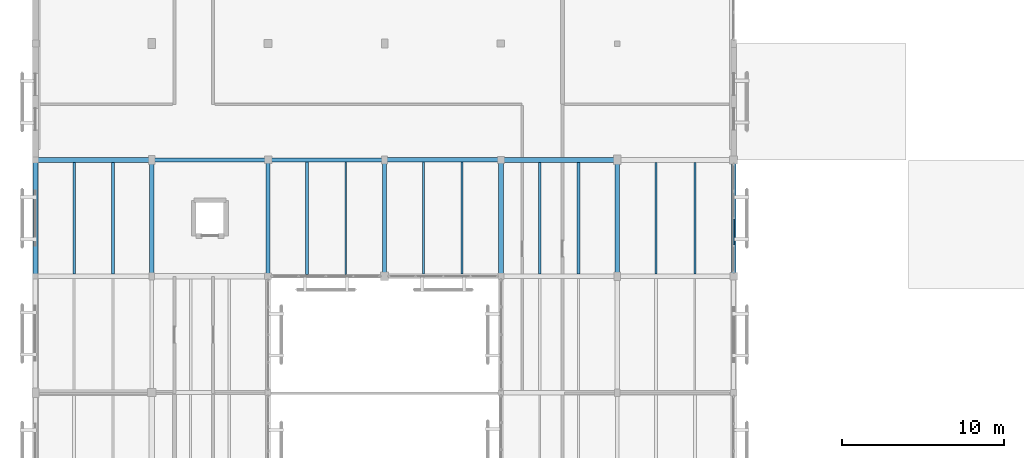
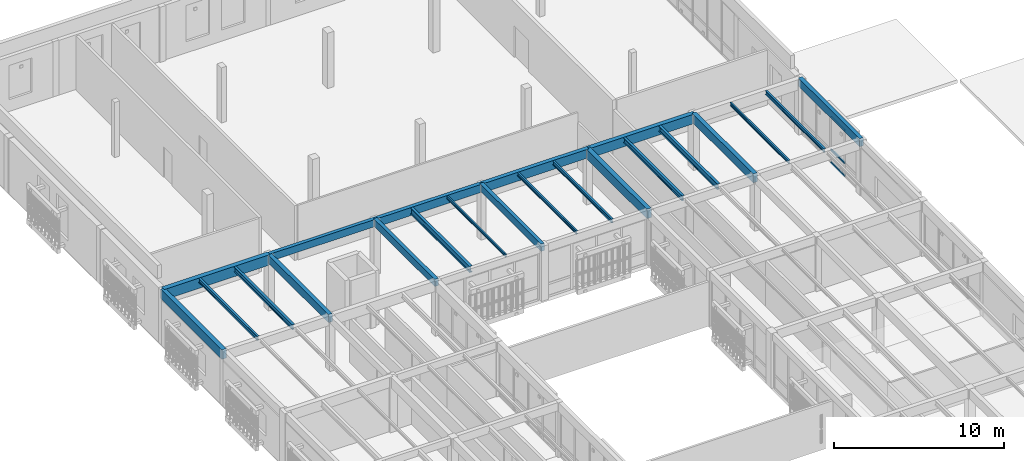
# One storey, part 47 of 112: 22 beams, 3 members, 1 element without a shape of its own.
"""IFC4 building model written with IfcOpenShell, lengths in metres."""

from ifc_helpers import new_model, si_unit, direction, frame, origin, origin_2d, place, context, subcontext, project, spatial, rectangle, hollow_rectangle, i_section, extrude, material, layer, layer_set, material_profile, profile_set, type_object, element, aggregate, save


model = new_model("IFC4")

# Units and contexts
model_context = context("Model", 3, precision=1e-05, world=origin(), true_north=direction((0.0, 1.0)))
body_context = subcontext(model_context, "Body", "Model", "MODEL_VIEW")
ifc_project = project(units=[si_unit("LENGTHUNIT", "METRE"), si_unit("AREAUNIT", "SQUARE_METRE"), si_unit("VOLUMEUNIT", "CUBIC_METRE"), si_unit("PLANEANGLEUNIT", "RADIAN"), si_unit("MASSUNIT", "GRAM", prefix="KILO")], contexts=[model_context])

# Site, building, storey
site_placement = place(None, origin())
site = spatial("IfcSite", under=ifc_project, at=site_placement, CompositionType="ELEMENT")
building_placement = place(site_placement, origin())
building = spatial("IfcBuilding", under=site, at=building_placement, Name="Mazaris Harbour Polytechnic", CompositionType="ELEMENT")
storey_placement = place(building_placement, frame((0.0, 0.0, 13.800048828125)))
storey = spatial("IfcBuildingStorey", under=building, at=storey_placement, Name="L03", CompositionType="ELEMENT", Elevation=13.800048828125)

# Curtain wall, members
ifc_material_1 = material(Name="Anodised Bronze Aluminium and Low-E Glass", Category="aluminium")
ifc_layer = layer(ifc_material_1, 0.159912109375, Name="Anodised Bronze Aluminium and Low-E Glass")
ifc_layer_set = layer_set([ifc_layer], Name="Anodised Bronze Aluminium and Low-E Glass")
curtain_wall_type = type_object("IfcCurtainWallType", Name="Cloister Court Curtain Wall", PredefinedType="NOTDEFINED", material=ifc_layer_set)
curtain_wall_placement = place(storey_placement, origin())
curtain_wall = element("IfcCurtainWall", 1, at=curtain_wall_placement, inside=storey, type_object=curtain_wall_type, Name="V4 L03 Curtain Wall 148", PredefinedType="NOTDEFINED")
ifc_material_2 = material(Name="Anodised Bronze Steel S355", Category="steel")
ifc_material_profile_1 = material_profile(ifc_material_2, hollow_rectangle(XDim=0.080078125, YDim=0.139892578125, WallThickness=0.00634765625, at=origin_2d()), Name="RHS 80x140x6.3")
ifc_profile_set_1 = profile_set([ifc_material_profile_1], Name="Anodised Bronze Steel S355")
member_type = type_object("IfcMemberType", Name="Curtain Transom RHS80x140", PredefinedType="USERDEFINED", material=ifc_profile_set_1)
member_1_placement = place(storey_placement, frame((43.199951171875, 71.949951171875, 0.0400390625), z_axis=(0.0, -1.0, 0.0), x_axis=(1.0, 0.0, 0.0)))
member_1 = element("IfcMember", 2, at=member_1_placement, type_object=member_type, Name="CW-02 transom 3.1", ObjectType="TRANSOM", PredefinedType="USERDEFINED", context=body_context, shape_type="SweptSolid", body=[
    extrude(hollow_rectangle(XDim=0.080078125, YDim=0.139892578125, WallThickness=0.00634765625, at=origin_2d()), origin(), (0.0, 0.0, 1.0), 1.60400390625),
])
member_2_placement = place(storey_placement, frame((43.199951171875, 71.949951171875, 0.949951171875), z_axis=(0.0, -1.0, 0.0), x_axis=(1.0, 0.0, 0.0)))
member_2 = element("IfcMember", 3, at=member_2_placement, type_object=member_type, Name="CW-02 transom 3.2", ObjectType="TRANSOM", PredefinedType="USERDEFINED", context=body_context, shape_type="SweptSolid", body=[
    extrude(hollow_rectangle(XDim=0.080078125, YDim=0.139892578125, WallThickness=0.00634765625, at=origin_2d()), origin(), (0.0, 0.0, 1.0), 1.60400390625),
])
member_3_placement = place(storey_placement, frame((43.199951171875, 71.949951171875, 3.2900390625), z_axis=(0.0, -1.0, 0.0), x_axis=(1.0, 0.0, 0.0)))
member_3 = element("IfcMember", 4, at=member_3_placement, type_object=member_type, Name="CW-02 transom 3.3", ObjectType="TRANSOM", PredefinedType="USERDEFINED", context=body_context, shape_type="SweptSolid", body=[
    extrude(hollow_rectangle(XDim=0.080078125, YDim=0.139892578125, WallThickness=0.00634765625, at=origin_2d()), origin(), (0.0, 0.0, 1.0), 1.60400390625),
])
aggregate(curtain_wall, [member_1, member_2, member_3])

# Beams
ifc_material_3 = material(Name="Glulam GL32h", Category="wood")
ifc_material_profile_2 = material_profile(ifc_material_3, rectangle(XDim=0.239990234375, YDim=0.52001953125, at=origin_2d()), Name="RECT240x520")
ifc_profile_set_2 = profile_set([ifc_material_profile_2], Name="Glulam GL32h")
beam_type_1 = type_object("IfcBeamType", Name="Glulam Girder 240x520", PredefinedType="BEAM", material=ifc_profile_set_2)
for number, where, z_axis, x_axis, name in (
    (5, (14.39990234375, 68.39990234375, 3.659912109375), (0.0, 1.0, 0.0), (-1.0, 0.0, 0.0), "V4 L03 Tie Girder 2245"),
    (6, (21.60009765625, 68.39990234375, 3.659912109375), (0.0, 1.0, 0.0), (-1.0, 0.0, 0.0), "V4 L03 Tie Girder 2250"),
):
    element("IfcBeam", number, at=place(storey_placement, frame(where, z_axis=z_axis, x_axis=x_axis)), inside=storey, type_object=beam_type_1, Name=name, PredefinedType="BEAM", context=body_context, shape_type="SweptSolid", body=[
        extrude(rectangle(XDim=0.239990234375, YDim=0.52001953125, at=origin_2d()), origin(), (0.0, 0.0, 1.0), 7.2001953125),
    ])
ifc_material_4 = material(Name="Glulam GL32h", Category="wood")
ifc_material_profile_3 = material_profile(ifc_material_4, rectangle(XDim=0.239990234375, YDim=0.52001953125, at=origin_2d()), Name="RECT240x520")
ifc_profile_set_3 = profile_set([ifc_material_profile_3], Name="Glulam GL32h")
beam_type_2 = type_object("IfcBeamType", Name="Glulam Girder 240x520 Exterior", PredefinedType="BEAM", material=ifc_profile_set_3)
beam_1_placement = place(storey_placement, frame((7.199951171875, 75.60009765625, 3.659912109375), z_axis=(1.0, 0.0, 0.0), x_axis=(0.0, 1.0, 0.0)))
element("IfcBeam", 7, at=beam_1_placement, inside=storey, type_object=beam_type_2, Name="V4 L03 Girder 2215", PredefinedType="BEAM", context=body_context, shape_type="SweptSolid", body=[
    extrude(rectangle(XDim=0.239990234375, YDim=0.52001953125, at=origin_2d()), origin(), (0.0, 0.0, 1.0), 7.199951171875),
])
ifc_material_5 = material(Name="Glulam GL32h", Category="wood")
ifc_material_profile_4 = material_profile(ifc_material_5, rectangle(XDim=0.260009765625, YDim=0.580078125, at=origin_2d()), Name="RECT260x580")
ifc_profile_set_4 = profile_set([ifc_material_profile_4], Name="Glulam GL32h")
beam_type_3 = type_object("IfcBeamType", Name="Glulam Girder 260x580", PredefinedType="BEAM", material=ifc_profile_set_4)
beam_2_placement = place(storey_placement, frame((7.199951171875, 68.39990234375, 3.6298828125), z_axis=(0.0, 1.0, 0.0), x_axis=(-1.0, 0.0, 0.0)))
element("IfcBeam", 8, at=beam_2_placement, inside=storey, type_object=beam_type_3, Name="V4 L03 Tie Girder 2236", PredefinedType="BEAM", context=body_context, shape_type="SweptSolid", body=[
    extrude(rectangle(XDim=0.260009765625, YDim=0.580078125, at=origin_2d()), origin(), (0.0, 0.0, 1.0), 7.2001953125),
])
ifc_material_6 = material(Name="Glulam GL32h", Category="wood")
ifc_material_profile_5 = material_profile(ifc_material_6, rectangle(XDim=0.260009765625, YDim=0.580078125, at=origin_2d()), Name="RECT260x580")
ifc_profile_set_5 = profile_set([ifc_material_profile_5], Name="Glulam GL32h")
beam_type_4 = type_object("IfcBeamType", Name="Glulam Girder 260x580 Exterior", PredefinedType="BEAM", material=ifc_profile_set_5)
for number, where, z_axis, x_axis, name in (
    (9, (14.39990234375, 75.60009765625, 3.6298828125), (1.0, 0.0, 0.0), (0.0, 1.0, 0.0), "V4 L03 Girder 2216"),
    (10, (43.199951171875, 68.39990234375, 3.6298828125), (0.0, 1.0, 0.0), (-1.0, 0.0, 0.0), "V4 L03 Tie Girder 2276"),
):
    element("IfcBeam", number, at=place(storey_placement, frame(where, z_axis=z_axis, x_axis=x_axis)), inside=storey, type_object=beam_type_4, Name=name, PredefinedType="BEAM", context=body_context, shape_type="SweptSolid", body=[
        extrude(rectangle(XDim=0.260009765625, YDim=0.580078125, at=origin_2d()), origin(), (0.0, 0.0, 1.0), 7.2001953125),
    ])
ifc_material_7 = material(Name="Glulam GL32h", Category="wood")
ifc_material_profile_6 = material_profile(ifc_material_7, rectangle(XDim=0.280029296875, YDim=0.639892578125, at=origin_2d()), Name="RECT280x640")
ifc_profile_set_6 = profile_set([ifc_material_profile_6], Name="Glulam GL32h")
beam_type_5 = type_object("IfcBeamType", Name="Glulam Girder 280x640", PredefinedType="BEAM", material=ifc_profile_set_6)
beam_3_placement = place(storey_placement, frame((36.0, 68.39990234375, 3.599853515625), z_axis=(0.0, 1.0, 0.0), x_axis=(-1.0, 0.0, 0.0)))
element("IfcBeam", 11, at=beam_3_placement, inside=storey, type_object=beam_type_5, Name="V4 L03 Tie Girder 2267", PredefinedType="BEAM", context=body_context, shape_type="SweptSolid", body=[
    extrude(rectangle(XDim=0.280029296875, YDim=0.639892578125, at=origin_2d()), origin(), (0.0, 0.0, 1.0), 7.2001953125),
])
ifc_material_8 = material(Name="Glulam GL32h", Category="wood")
ifc_material_profile_7 = material_profile(ifc_material_8, rectangle(XDim=0.280029296875, YDim=0.639892578125, at=origin_2d()), Name="RECT280x640")
ifc_profile_set_7 = profile_set([ifc_material_profile_7], Name="Glulam GL32h")
beam_type_6 = type_object("IfcBeamType", Name="Glulam Girder 280x640 Exterior", PredefinedType="BEAM", material=ifc_profile_set_7)
beam_4_placement = place(storey_placement, frame((21.60009765625, 75.60009765625, 3.599853515625), z_axis=(1.0, 0.0, 0.0), x_axis=(0.0, 1.0, 0.0)))
element("IfcBeam", 12, at=beam_4_placement, inside=storey, type_object=beam_type_6, Name="V4 L03 Girder 2217", PredefinedType="BEAM", context=body_context, shape_type="SweptSolid", body=[
    extrude(rectangle(XDim=0.280029296875, YDim=0.639892578125, at=origin_2d()), origin(), (0.0, 0.0, 1.0), 7.199951171875),
])
ifc_material_9 = material(Name="Glulam GL32h", Category="wood")
ifc_material_profile_8 = material_profile(ifc_material_9, rectangle(XDim=0.300048828125, YDim=0.679931640625, at=origin_2d()), Name="RECT300x680")
ifc_profile_set_8 = profile_set([ifc_material_profile_8], Name="Glulam GL32h")
beam_type_7 = type_object("IfcBeamType", Name="Glulam Girder 300x680", PredefinedType="BEAM", material=ifc_profile_set_8)
beam_5_placement = place(storey_placement, frame((28.800048828125, 68.39990234375, 3.579833984375), z_axis=(0.0, 1.0, 0.0), x_axis=(-1.0, 0.0, 0.0)))
element("IfcBeam", 13, at=beam_5_placement, inside=storey, type_object=beam_type_7, Name="V4 L03 Tie Girder 2258", PredefinedType="BEAM", context=body_context, shape_type="SweptSolid", body=[
    extrude(rectangle(XDim=0.300048828125, YDim=0.679931640625, at=origin_2d()), origin(), (0.0, 0.0, 1.0), 7.2001953125),
])
ifc_material_10 = material(Name="Glulam GL32h", Category="wood")
ifc_material_profile_9 = material_profile(ifc_material_10, rectangle(XDim=0.300048828125, YDim=0.679931640625, at=origin_2d()), Name="RECT300x680")
ifc_profile_set_9 = profile_set([ifc_material_profile_9], Name="Glulam GL32h")
beam_type_8 = type_object("IfcBeamType", Name="Glulam Girder 300x680 Exterior", PredefinedType="BEAM", material=ifc_profile_set_9)
beam_6_placement = place(storey_placement, frame((28.800048828125, 75.60009765625, 3.579833984375), z_axis=(1.0, 0.0, 0.0), x_axis=(0.0, 1.0, 0.0)))
element("IfcBeam", 14, at=beam_6_placement, inside=storey, type_object=beam_type_8, Name="V4 L03 Girder 2218", PredefinedType="BEAM", context=body_context, shape_type="SweptSolid", body=[
    extrude(rectangle(XDim=0.300048828125, YDim=0.679931640625, at=origin_2d()), origin(), (0.0, 0.0, 1.0), 7.199951171875),
])
beam_7_placement = place(storey_placement, frame((0.0, 68.39990234375, 3.579833984375), z_axis=(0.0, 1.0, 0.0), x_axis=(-1.0, 0.0, 0.0)))
element("IfcBeam", 15, at=beam_7_placement, inside=storey, type_object=beam_type_8, Name="V4 L03 Tie Girder 2228", PredefinedType="BEAM", context=body_context, shape_type="SweptSolid", body=[
    extrude(rectangle(XDim=0.300048828125, YDim=0.679931640625, at=origin_2d()), origin(), (0.0, 0.0, 1.0), 7.2001953125),
])
ifc_material_11 = material(Name="Glulam GL32h", Category="wood")
ifc_material_profile_10 = material_profile(ifc_material_11, rectangle(XDim=0.320068359375, YDim=0.739990234375, at=origin_2d()), Name="RECT320x740")
ifc_profile_set_10 = profile_set([ifc_material_profile_10], Name="Glulam GL32h")
beam_type_9 = type_object("IfcBeamType", Name="Glulam Girder 320x740 Exterior", PredefinedType="BEAM", material=ifc_profile_set_10)
beam_8_placement = place(storey_placement, frame((0.0, 75.60009765625, 3.550048828125), z_axis=(1.0, 0.0, 0.0), x_axis=(0.0, 1.0, 0.0)))
element("IfcBeam", 16, at=beam_8_placement, inside=storey, type_object=beam_type_9, Name="V4 L03 Girder 2214", PredefinedType="BEAM", context=body_context, shape_type="SweptSolid", body=[
    extrude(rectangle(XDim=0.320068359375, YDim=0.739990234375, at=origin_2d()), origin(), (0.0, 0.0, 1.0), 7.199951171875),
])
ifc_material_12 = material(Name="Steel S355", Category="steel")
ifc_material_profile_11 = material_profile(ifc_material_12, i_section(OverallWidth=0.10009765625, OverallDepth=0.199951171875, WebThickness=0.005615234375, FlangeThickness=0.008544921875, FilletRadius=0.011962890625, at=origin_2d()), Name="IPE 200")
ifc_profile_set_11 = profile_set([ifc_material_profile_11], Name="Steel S355")
beam_type_10 = type_object("IfcBeamType", Name="Steel Joist IPE200", PredefinedType="JOIST", material=ifc_profile_set_11)
beam_9_placement = place(storey_placement, frame((19.199951171875, 68.52001953125, 3.820068359375), z_axis=(0.0, 1.0, 0.0), x_axis=(-1.0, 0.0, 0.0)))
element("IfcBeam", 17, at=beam_9_placement, inside=storey, type_object=beam_type_10, Name="V4 L03 Floor Joist 2317", PredefinedType="JOIST", context=body_context, shape_type="SweptSolid", body=[
    extrude(i_section(OverallWidth=0.10009765625, OverallDepth=0.199951171875, WebThickness=0.005615234375, FlangeThickness=0.008544921875, FilletRadius=0.011962890625, at=origin_2d()), origin(), (0.0, 0.0, 1.0), 6.949951171875),
])
ifc_material_13 = material(Name="Steel S355", Category="steel")
ifc_material_profile_12 = material_profile(ifc_material_13, i_section(OverallWidth=0.1201171875, OverallDepth=0.239990234375, WebThickness=0.006103515625, FlangeThickness=0.009765625, FilletRadius=0.014892578125, at=origin_2d()), Name="IPE 240")
ifc_profile_set_12 = profile_set([ifc_material_profile_12], Name="Steel S355")
beam_type_11 = type_object("IfcBeamType", Name="Steel Joist IPE240", PredefinedType="JOIST", material=ifc_profile_set_12)
beam_10_placement = place(storey_placement, frame((24.0, 68.530029296875, 3.800048828125), z_axis=(0.0, 1.0, 0.0), x_axis=(-1.0, 0.0, 0.0)))
element("IfcBeam", 18, at=beam_10_placement, inside=storey, type_object=beam_type_11, Name="V4 L03 Floor Joist 2325", PredefinedType="JOIST", context=body_context, shape_type="SweptSolid", body=[
    extrude(i_section(OverallWidth=0.1201171875, OverallDepth=0.239990234375, WebThickness=0.006103515625, FlangeThickness=0.009765625, FilletRadius=0.014892578125, at=origin_2d()), origin(), (0.0, 0.0, 1.0), 6.929931640625),
])
beam_11_placement = place(storey_placement, frame((38.39990234375, 68.550048828125, 3.800048828125), z_axis=(0.0, 1.0, 0.0), x_axis=(-1.0, 0.0, 0.0)))
element("IfcBeam", 19, at=beam_11_placement, inside=storey, type_object=beam_type_11, Name="V4 L03 Floor Joist 2360", PredefinedType="JOIST", context=body_context, shape_type="SweptSolid", body=[
    extrude(i_section(OverallWidth=0.1201171875, OverallDepth=0.239990234375, WebThickness=0.006103515625, FlangeThickness=0.009765625, FilletRadius=0.014892578125, at=origin_2d()), origin(), (0.0, 0.0, 1.0), 6.889892578125),
])
ifc_material_14 = material(Name="Steel S355", Category="steel")
ifc_material_profile_13 = material_profile(ifc_material_14, i_section(OverallWidth=0.135009765625, OverallDepth=0.27001953125, WebThickness=0.006591796875, FlangeThickness=0.01025390625, FilletRadius=0.014892578125, at=origin_2d()), Name="IPE 270")
ifc_profile_set_13 = profile_set([ifc_material_profile_13], Name="Steel S355")
beam_type_12 = type_object("IfcBeamType", Name="Steel Joist IPE270", PredefinedType="JOIST", material=ifc_profile_set_13)
beam_12_placement = place(storey_placement, frame((26.39990234375, 68.530029296875, 3.784912109375), z_axis=(0.0, 1.0, 0.0), x_axis=(-1.0, 0.0, 0.0)))
element("IfcBeam", 20, at=beam_12_placement, inside=storey, type_object=beam_type_12, Name="V4 L03 Floor Joist 2326", PredefinedType="JOIST", context=body_context, shape_type="SweptSolid", body=[
    extrude(i_section(OverallWidth=0.135009765625, OverallDepth=0.27001953125, WebThickness=0.006591796875, FlangeThickness=0.01025390625, FilletRadius=0.014892578125, at=origin_2d()), origin(), (0.0, 0.0, 1.0), 6.929931640625),
])
beam_13_placement = place(storey_placement, frame((40.800048828125, 68.550048828125, 3.784912109375), z_axis=(0.0, 1.0, 0.0), x_axis=(-1.0, 0.0, 0.0)))
element("IfcBeam", 21, at=beam_13_placement, inside=storey, type_object=beam_type_12, Name="V4 L03 Floor Joist 2361", PredefinedType="JOIST", context=body_context, shape_type="SweptSolid", body=[
    extrude(i_section(OverallWidth=0.135009765625, OverallDepth=0.27001953125, WebThickness=0.006591796875, FlangeThickness=0.01025390625, FilletRadius=0.014892578125, at=origin_2d()), origin(), (0.0, 0.0, 1.0), 6.889892578125),
])
ifc_material_15 = material(Name="Steel S355", Category="steel")
ifc_material_profile_14 = material_profile(ifc_material_15, i_section(OverallWidth=0.14990234375, OverallDepth=0.300048828125, WebThickness=0.007080078125, FlangeThickness=0.0107421875, FilletRadius=0.014892578125, at=origin_2d()), Name="IPE 300")
ifc_profile_set_14 = profile_set([ifc_material_profile_14], Name="Steel S355")
beam_type_13 = type_object("IfcBeamType", Name="Steel Joist IPE300", PredefinedType="JOIST", material=ifc_profile_set_14)
beam_14_placement = place(storey_placement, frame((2.39990234375, 68.550048828125, 3.77001953125), z_axis=(0.0, 1.0, 0.0), x_axis=(-1.0, 0.0, 0.0)))
element("IfcBeam", 22, at=beam_14_placement, inside=storey, type_object=beam_type_13, Name="V4 L03 Floor Joist 2292", PredefinedType="JOIST", context=body_context, shape_type="SweptSolid", body=[
    extrude(i_section(OverallWidth=0.14990234375, OverallDepth=0.300048828125, WebThickness=0.007080078125, FlangeThickness=0.0107421875, FilletRadius=0.014892578125, at=origin_2d()), origin(), (0.0, 0.0, 1.0), 6.889892578125),
])
ifc_material_16 = material(Name="Steel S355", Category="steel")
ifc_material_profile_15 = material_profile(ifc_material_16, i_section(OverallWidth=0.169921875, OverallDepth=0.360107421875, WebThickness=0.008056640625, FlangeThickness=0.0126953125, FilletRadius=0.01806640625, at=origin_2d()), Name="IPE 360")
ifc_profile_set_15 = profile_set([ifc_material_profile_15], Name="Steel S355")
beam_type_14 = type_object("IfcBeamType", Name="Steel Joist IPE360", PredefinedType="JOIST", material=ifc_profile_set_15)
beam_15_placement = place(storey_placement, frame((4.800048828125, 68.550048828125, 3.739990234375), z_axis=(0.0, 1.0, 0.0), x_axis=(-1.0, 0.0, 0.0)))
element("IfcBeam", 23, at=beam_15_placement, inside=storey, type_object=beam_type_14, Name="V4 L03 Floor Joist 2293", PredefinedType="JOIST", context=body_context, shape_type="SweptSolid", body=[
    extrude(i_section(OverallWidth=0.169921875, OverallDepth=0.360107421875, WebThickness=0.008056640625, FlangeThickness=0.0126953125, FilletRadius=0.01806640625, at=origin_2d()), origin(), (0.0, 0.0, 1.0), 6.889892578125),
])
beam_16_placement = place(storey_placement, frame((31.199951171875, 68.5400390625, 3.739990234375), z_axis=(0.0, 1.0, 0.0), x_axis=(-1.0, 0.0, 0.0)))
element("IfcBeam", 24, at=beam_16_placement, inside=storey, type_object=beam_type_14, Name="V4 L03 Floor Joist 2342", PredefinedType="JOIST", context=body_context, shape_type="SweptSolid", body=[
    extrude(i_section(OverallWidth=0.169921875, OverallDepth=0.360107421875, WebThickness=0.008056640625, FlangeThickness=0.0126953125, FilletRadius=0.01806640625, at=origin_2d()), origin(), (0.0, 0.0, 1.0), 6.909912109375),
])
ifc_material_17 = material(Name="Steel S355", Category="steel")
ifc_material_profile_16 = material_profile(ifc_material_17, i_section(OverallWidth=0.179931640625, OverallDepth=0.39990234375, WebThickness=0.008544921875, FlangeThickness=0.013427734375, FilletRadius=0.02099609375, at=origin_2d()), Name="IPE 400")
ifc_profile_set_16 = profile_set([ifc_material_profile_16], Name="Steel S355")
beam_type_15 = type_object("IfcBeamType", Name="Steel Joist IPE400", PredefinedType="JOIST", material=ifc_profile_set_16)
beam_17_placement = place(storey_placement, frame((33.60009765625, 68.5400390625, 3.719970703125), z_axis=(0.0, 1.0, 0.0), x_axis=(-1.0, 0.0, 0.0)))
element("IfcBeam", 25, at=beam_17_placement, inside=storey, type_object=beam_type_15, Name="V4 L03 Floor Joist 2343", PredefinedType="JOIST", context=body_context, shape_type="SweptSolid", body=[
    extrude(i_section(OverallWidth=0.179931640625, OverallDepth=0.39990234375, WebThickness=0.008544921875, FlangeThickness=0.013427734375, FilletRadius=0.02099609375, at=origin_2d()), origin(), (0.0, 0.0, 1.0), 6.909912109375),
])
ifc_material_18 = material(Name="Steel S355", Category="steel")
ifc_material_profile_17 = material_profile(ifc_material_18, i_section(OverallWidth=0.18994140625, OverallDepth=0.449951171875, WebThickness=0.009521484375, FlangeThickness=0.0146484375, FilletRadius=0.02099609375, at=origin_2d()), Name="IPE 450")
ifc_profile_set_17 = profile_set([ifc_material_profile_17], Name="Steel S355")
beam_type_16 = type_object("IfcBeamType", Name="Steel Joist IPE450", PredefinedType="JOIST", material=ifc_profile_set_17)
beam_18_placement = place(storey_placement, frame((16.800048828125, 68.52001953125, 3.695068359375), z_axis=(0.0, 1.0, 0.0), x_axis=(-1.0, 0.0, 0.0)))
element("IfcBeam", 26, at=beam_18_placement, inside=storey, type_object=beam_type_16, Name="V4 L03 Floor Joist 2316", PredefinedType="JOIST", context=body_context, shape_type="SweptSolid", body=[
    extrude(i_section(OverallWidth=0.18994140625, OverallDepth=0.449951171875, WebThickness=0.009521484375, FlangeThickness=0.0146484375, FilletRadius=0.02099609375, at=origin_2d()), origin(), (0.0, 0.0, 1.0), 6.949951171875),
])

save(model, "model.ifc")
